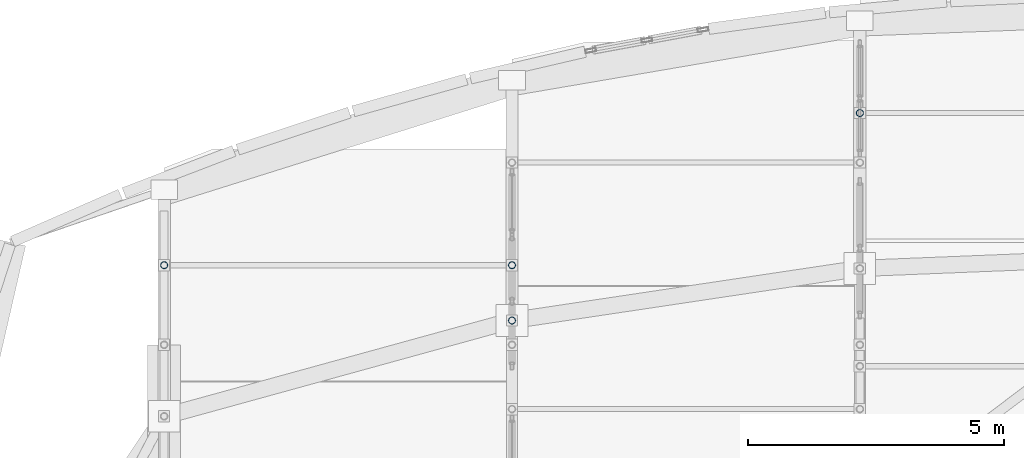
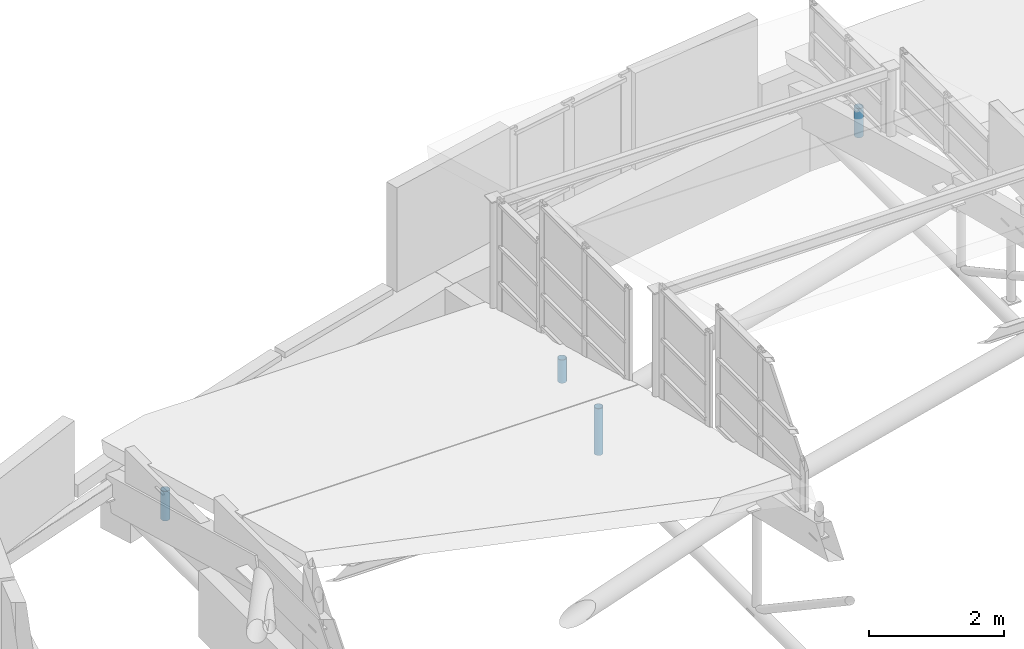
# One storey, part 147 of 188: 4 members.
"""IFC4 building model written with IfcOpenShell, lengths in metres."""

from ifc_helpers import new_model, si_unit, direction, frame, origin, origin_2d, place, context, subcontext, project, spatial, hollow_circle, extrude, material, material_profile, profile_set, type_object, element, save


model = new_model("IFC4")

# Units and contexts
model_context = context("Model", 3, precision=1e-05, world=origin(), true_north=direction((0.0, 1.0)))
body_context = subcontext(model_context, "Body", "Model", "MODEL_VIEW")
ifc_project = project(units=[si_unit("LENGTHUNIT", "METRE"), si_unit("AREAUNIT", "SQUARE_METRE"), si_unit("VOLUMEUNIT", "CUBIC_METRE"), si_unit("PLANEANGLEUNIT", "RADIAN"), si_unit("MASSUNIT", "GRAM", prefix="KILO")], contexts=[model_context])

# Site, building, storey
site_placement = place(None, origin())
site = spatial("IfcSite", under=ifc_project, at=site_placement, CompositionType="ELEMENT")
building_placement = place(site_placement, origin())
building = spatial("IfcBuilding", under=site, at=building_placement, Name="Kisaragi Civic Commons", CompositionType="ELEMENT")
storey_placement = place(building_placement, frame((0.0, 0.0, 9.60009765625)))
storey = spatial("IfcBuildingStorey", under=building, at=storey_placement, Name="L02", CompositionType="ELEMENT", Elevation=9.60009765625)

# Members
ifc_material = material(Name="Steel SN490 (SN490B)", Category="steel")
ifc_material_profile = material_profile(ifc_material, hollow_circle(Radius=0.06982421875, WallThickness=0.006103515625, at=origin_2d()), Name="CHS-139.8x6.0", Category="steel")
ifc_profile_set = profile_set([ifc_material_profile], Name="Steel SN490 (SN490B)")
member_type = type_object("IfcMemberType", Name="ST-H1", PredefinedType="STRUT", material=ifc_profile_set)
member_1_placement = place(storey_placement, frame((13.60009765625, 112.073974609375, -0.69921875), z_axis=(0.0, 0.0, 1.0), x_axis=(1.0, 0.0, 0.0)))
element("IfcMember", 1, at=member_1_placement, inside=storey, type_object=member_type, Name="V2 arch tie hanger strut 37", PredefinedType="STRUT", context=body_context, shape_type="SweptSolid", body=[
    extrude(hollow_circle(Radius=0.06982421875, WallThickness=0.006103515625, at=origin_2d()), origin(), (0.0, 0.0, 1.0), 0.84765625),
])
member_2_placement = place(storey_placement, frame((6.800048828125, 113.1552734375, -0.16015625), z_axis=(0.0, 0.0, 1.0), x_axis=(1.0, 0.0, 0.0)))
element("IfcMember", 2, at=member_2_placement, inside=storey, type_object=member_type, Name="V2 clerestory monitor horizontal tie strut 2.1.8", PredefinedType="STRUT", context=body_context, shape_type="SweptSolid", body=[
    extrude(hollow_circle(Radius=0.06982421875, WallThickness=0.006103515625, at=origin_2d()), origin(), (0.0, 0.0, 1.0), 0.533203125),
])
member_3_placement = place(storey_placement, frame((13.60009765625, 113.1552734375, -0.046630859375), z_axis=(0.0, 0.0, 1.0), x_axis=(1.0, 0.0, 0.0)))
element("IfcMember", 3, at=member_3_placement, inside=storey, type_object=member_type, Name="V2 clerestory monitor horizontal tie strut 2.2.8", PredefinedType="STRUT", context=body_context, shape_type="SweptSolid", body=[
    extrude(hollow_circle(Radius=0.06982421875, WallThickness=0.006103515625, at=origin_2d()), origin(), (0.0, 0.0, 1.0), 0.419677734375),
])
member_4_placement = place(storey_placement, frame((20.39990234375, 116.129150390625, 0.215087890625), z_axis=(0.0, 0.0, 1.0), x_axis=(1.0, 0.0, 0.0)))
element("IfcMember", 4, at=member_4_placement, inside=storey, type_object=member_type, Name="V2 clerestory monitor horizontal tie strut 4.3.8", PredefinedType="STRUT", context=body_context, shape_type="SweptSolid", body=[
    extrude(hollow_circle(Radius=0.06982421875, WallThickness=0.006103515625, at=origin_2d()), origin(), (0.0, 0.0, 1.0), 0.527099609375),
])

save(model, "model.ifc")
